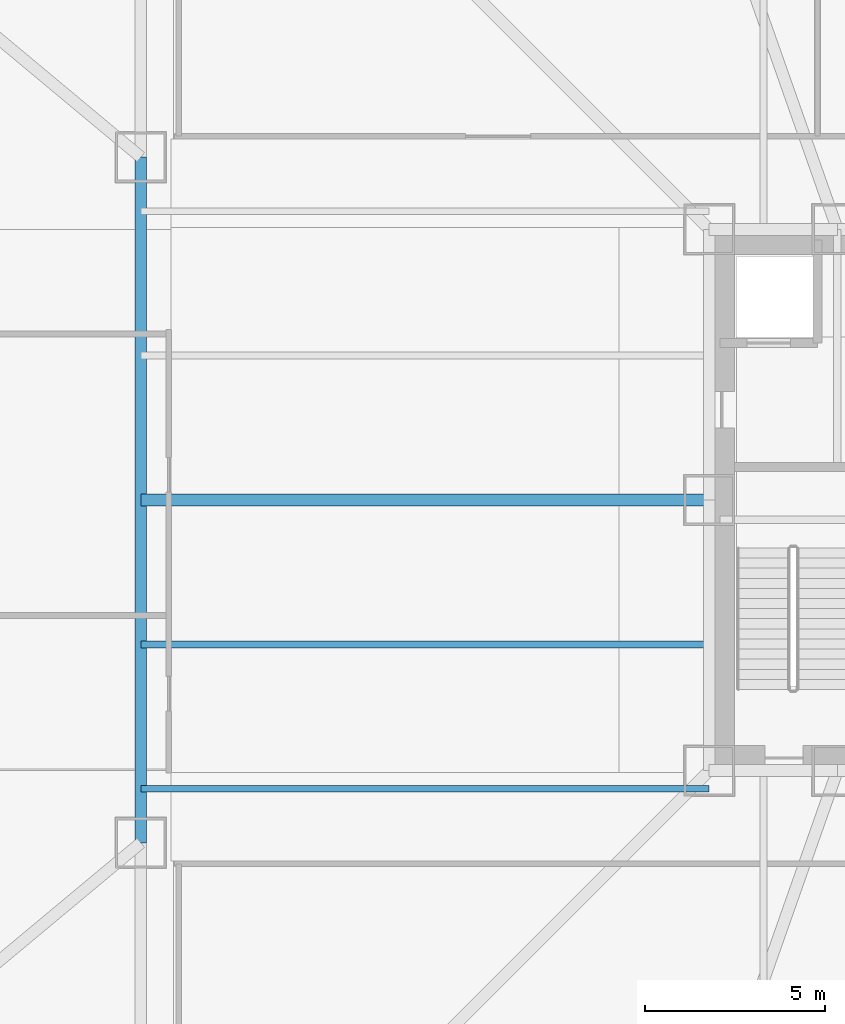
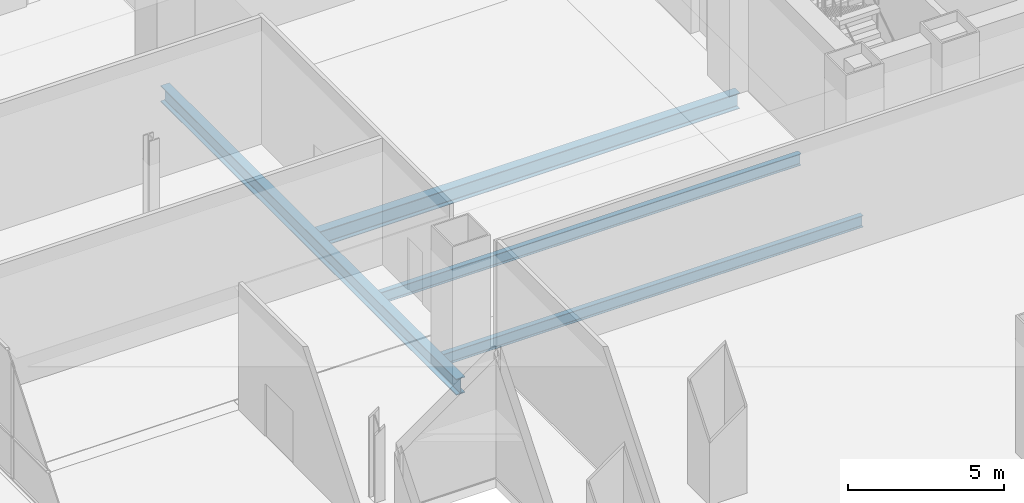
# One storey, part 7 of 36: 4 beams.
"""IFC4 building model written with IfcOpenShell, lengths in metres."""

from ifc_helpers import new_model, si_unit, direction, frame, origin, origin_2d, place, context, subcontext, project, spatial, i_section, extrude, material, material_profile, profile_set, type_object, element, save


model = new_model("IFC4")

# Units and contexts
model_context = context("Model", 3, precision=1e-05, world=origin(), true_north=direction((0.0, 1.0)))
body_context = subcontext(model_context, "Body", "Model", "MODEL_VIEW")
ifc_project = project(units=[si_unit("LENGTHUNIT", "METRE"), si_unit("AREAUNIT", "SQUARE_METRE"), si_unit("VOLUMEUNIT", "CUBIC_METRE"), si_unit("PLANEANGLEUNIT", "RADIAN"), si_unit("MASSUNIT", "GRAM", prefix="KILO")], contexts=[model_context])

# Site, building, storey
site_placement = place(None, origin())
site = spatial("IfcSite", under=ifc_project, at=site_placement, CompositionType="ELEMENT")
building_placement = place(site_placement, origin())
building = spatial("IfcBuilding", under=site, at=building_placement, Name="Trevonay Congress Spire", CompositionType="ELEMENT")
storey_placement = place(building_placement, frame((0.0, 0.0, 5.39990234375)))
storey = spatial("IfcBuildingStorey", under=building, at=storey_placement, Name="L01", CompositionType="ELEMENT", Elevation=5.39990234375)

# Beams
ifc_material = material(Name="Steel ASTM A572 Grade 50", Category="steel")
ifc_material_profile_1 = material_profile(ifc_material, i_section(OverallWidth=0.324951171875, OverallDepth=0.615966796875, WebThickness=0.013916015625, FlangeThickness=0.021484375, FilletRadius=0.01806640625, at=origin_2d()), Name="W610x174")
ifc_profile_set_1 = profile_set([ifc_material_profile_1], Name="Steel ASTM A572 Grade 50")
beam_type_1 = type_object("IfcBeamType", Name="BM-GIRD-W610X174", PredefinedType="BEAM", material=ifc_profile_set_1)
beam_1_placement = place(storey_placement, frame((-7.5, 0.0, -0.7080078125), z_axis=(-1.0, 0.0, 0.0), x_axis=(0.0, -1.0, 0.0)))
element("IfcBeam", 1, at=beam_1_placement, inside=storey, type_object=beam_type_1, Name="L01 structural beam BM-L01-RAD-WC", PredefinedType="BEAM", context=body_context, shape_type="SweptSolid", body=[
    extrude(i_section(OverallWidth=0.324951171875, OverallDepth=0.615966796875, WebThickness=0.013916015625, FlangeThickness=0.021484375, FilletRadius=0.01806640625, at=origin_2d()), origin(), (0.0, 0.0, 1.0), 15.75),
])
ifc_material_profile_2 = material_profile(ifc_material, i_section(OverallWidth=0.3291015625, OverallDepth=0.635009765625, WebThickness=0.017822265625, FlangeThickness=0.031005859375, FilletRadius=0.01806640625, at=origin_2d()), Name="W610x241")
ifc_profile_set_2 = profile_set([ifc_material_profile_2], Name="Steel ASTM A572 Grade 50")
beam_type_2 = type_object("IfcBeamType", Name="BM-GIRD-W610X241", PredefinedType="BEAM", material=ifc_profile_set_2)
beam_2_placement = place(storey_placement, frame((-23.25, -9.5, -0.71728515625), z_axis=(0.0, 1.0, 0.0), x_axis=(-1.0, 0.0, 0.0)))
element("IfcBeam", 2, at=beam_2_placement, inside=storey, type_object=beam_type_2, Name="L01 structural beam BM-L01-MW2", PredefinedType="BEAM", context=body_context, shape_type="SweptSolid", body=[
    extrude(i_section(OverallWidth=0.3291015625, OverallDepth=0.635009765625, WebThickness=0.017822265625, FlangeThickness=0.031005859375, FilletRadius=0.01806640625, at=origin_2d()), origin(), (0.0, 0.0, 1.0), 19.0),
])
ifc_material_profile_3 = material_profile(ifc_material, i_section(OverallWidth=0.18994140625, OverallDepth=0.45703125, WebThickness=0.009033203125, FlangeThickness=0.014404296875, FilletRadius=0.013916015625, at=origin_2d()), Name="W460x74")
ifc_profile_set_3 = profile_set([ifc_material_profile_3], Name="Steel ASTM A572 Grade 50")
beam_type_3 = type_object("IfcBeamType", Name="JS-COMP-W460X74", PredefinedType="JOIST", material=ifc_profile_set_3)
for number, where, z_axis, x_axis, name in (
    (3, (-23.25, -8.0, -0.62841796875), (1.0, 0.0, 0.0), (0.0, 1.0, 0.0), "L01 structural beam JS-L01-WH1"),
    (4, (-23.25, -4.0, -0.62841796875), (1.0, 0.0, 0.0), (0.0, 1.0, 0.0), "L01 structural beam JS-L01-WH2"),
):
    element("IfcBeam", number, at=place(storey_placement, frame(where, z_axis=z_axis, x_axis=x_axis)), inside=storey, type_object=beam_type_3, Name=name, PredefinedType="JOIST", context=body_context, shape_type="SweptSolid", body=[
        extrude(i_section(OverallWidth=0.18994140625, OverallDepth=0.45703125, WebThickness=0.009033203125, FlangeThickness=0.014404296875, FilletRadius=0.013916015625, at=origin_2d()), origin(), (0.0, 0.0, 1.0), 15.75),
    ])

save(model, "model.ifc")
